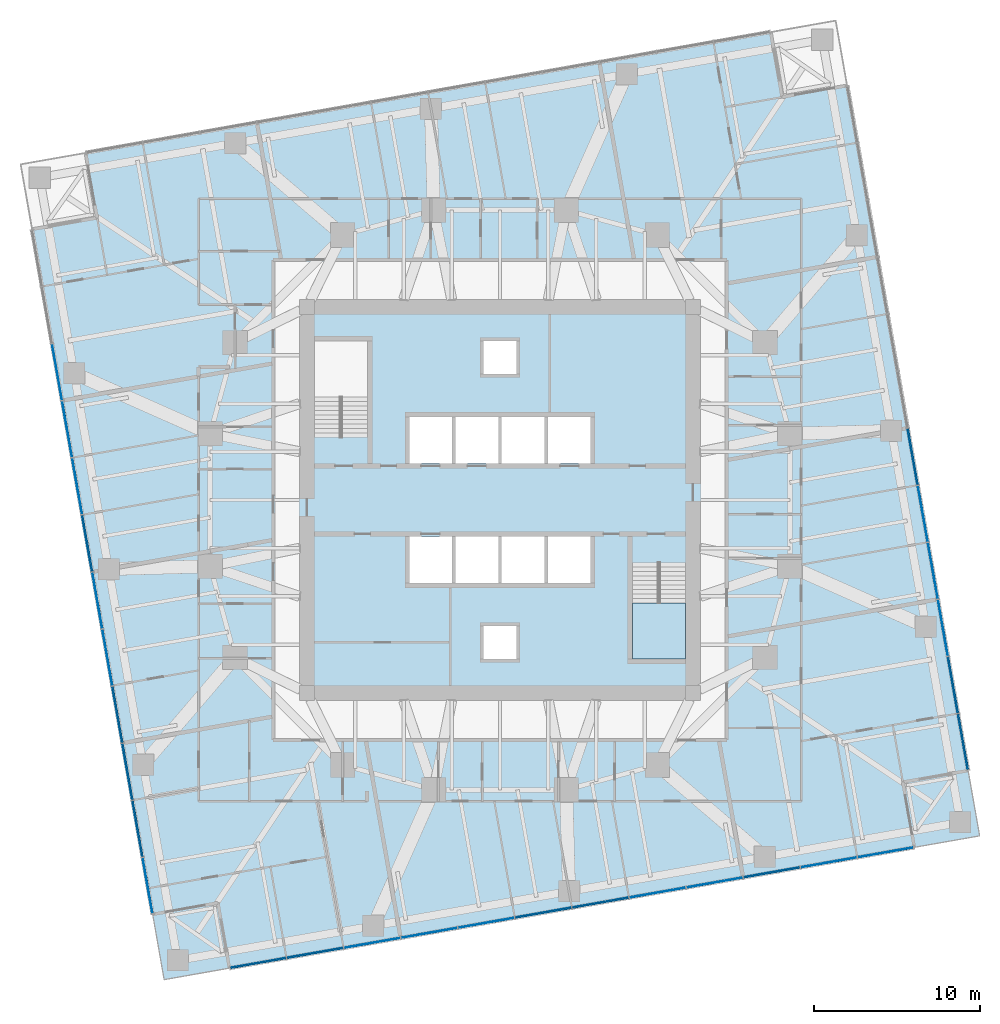
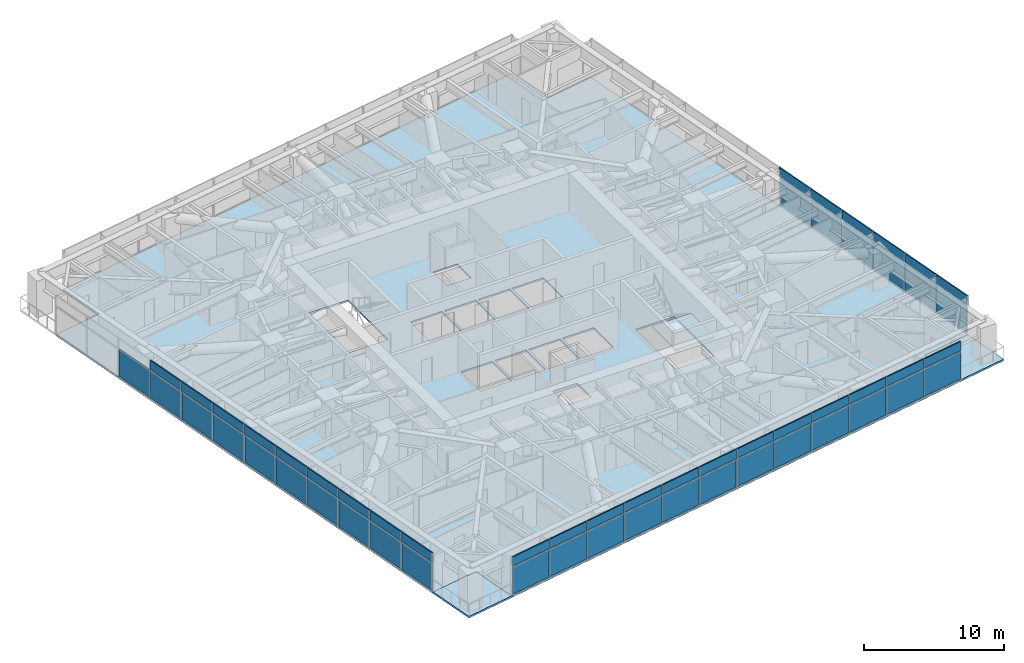
# One storey, part 9 of 17: 55 plates, 4 slabs, 4 elements without a shape of their own.
"""IFC4 building model written with IfcOpenShell, lengths in metres."""

from ifc_helpers import new_model, si_unit, direction, frame, origin, origin_2d, place, context, subcontext, project, spatial, polyline, rectangle, outline, extrude, material, layer, layer_set, type_object, element, aggregate, save


model = new_model("IFC4")

# Units and contexts
model_context = context("Model", 3, precision=1e-05, world=origin(), true_north=direction((0.0, 1.0)))
body_context = subcontext(model_context, "Body", "Model", "MODEL_VIEW")
ifc_project = project(units=[si_unit("LENGTHUNIT", "METRE"), si_unit("AREAUNIT", "SQUARE_METRE"), si_unit("VOLUMEUNIT", "CUBIC_METRE"), si_unit("PLANEANGLEUNIT", "RADIAN"), si_unit("MASSUNIT", "GRAM", prefix="KILO")], contexts=[model_context])

# Site, building, storey
site_placement = place(None, origin())
site = spatial("IfcSite", under=ifc_project, at=site_placement, CompositionType="ELEMENT")
building_placement = place(site_placement, origin())
building = spatial("IfcBuilding", under=site, at=building_placement, Name="Torsade Residences", CompositionType="ELEMENT")
storey_placement = place(building_placement, frame((0.0, 0.0, 103.199951171875)))
storey = spatial("IfcBuildingStorey", under=building, at=storey_placement, Name="L28", CompositionType="ELEMENT", Elevation=103.199951171875)

# Slab
ifc_material_1 = material(Name="Concrete 40 MPa", Category="concrete")
ifc_layer_1 = layer(ifc_material_1, 0.14990234375)
ifc_layer_set_1 = layer_set([ifc_layer_1], Name="Concrete 40 MPa")
slab_type_1 = type_object("IfcSlabType", Name="COMPOSITE FLOOR SLAB 150", PredefinedType="FLOOR", material=ifc_layer_set_1)
slab_1_placement = place(storey_placement, frame((0.0, 0.0, -0.14990234375)))
element("IfcSlab", 1, at=slab_1_placement, inside=storey, type_object=slab_type_1, Name="Floor slab L28", PredefinedType="FLOOR", context=body_context, shape_type="SweptSolid", body=[
    extrude(outline(polyline([(23.66015625, 1.733154296875), (65.022216796875, 9.0263671875), (64.32763671875, 12.965576171875), (68.266845703125, 13.66015625), (60.9736328125, 55.022216796875), (57.034423828125, 54.32763671875), (56.33984375, 58.266845703125), (14.977783203125, 50.9736328125), (15.67236328125, 47.034423828125), (11.733154296875, 46.33984375), (19.0263671875, 4.977783203125), (22.965576171875, 5.67236328125), (23.66015625, 1.733154296875)]), holes=[polyline([(51.199951171875, 20.39990234375), (51.199951171875, 26.1201171875), (48.0, 26.1201171875), (48.0, 20.39990234375), (51.199951171875, 20.39990234375)]), polyline([(45.5, 27.800048828125), (42.89990234375, 27.800048828125), (42.89990234375, 25.0), (45.5, 25.0), (45.5, 27.800048828125)]), polyline([(45.5, 32.199951171875), (45.5, 35.0), (42.89990234375, 35.0), (42.89990234375, 32.199951171875), (45.5, 32.199951171875)]), polyline([(42.699951171875, 25.0), (42.699951171875, 27.800048828125), (40.10009765625, 27.800048828125), (40.10009765625, 25.0), (42.699951171875, 25.0)]), polyline([(42.699951171875, 32.199951171875), (42.699951171875, 35.0), (40.10009765625, 35.0), (40.10009765625, 32.199951171875), (42.699951171875, 32.199951171875)]), polyline([(41.0, 22.39990234375), (39.0, 22.39990234375), (39.0, 20.39990234375), (41.0, 20.39990234375), (41.0, 22.39990234375)]), polyline([(41.0, 37.60009765625), (41.0, 39.60009765625), (39.0, 39.60009765625), (39.0, 37.60009765625), (41.0, 37.60009765625)]), polyline([(39.89990234375, 25.0), (39.89990234375, 27.800048828125), (37.300048828125, 27.800048828125), (37.300048828125, 25.0), (39.89990234375, 25.0)]), polyline([(39.89990234375, 35.0), (37.300048828125, 35.0), (37.300048828125, 32.199951171875), (39.89990234375, 32.199951171875), (39.89990234375, 35.0)]), polyline([(37.10009765625, 27.800048828125), (34.5, 27.800048828125), (34.5, 25.0), (37.10009765625, 25.0), (37.10009765625, 27.800048828125)]), polyline([(37.10009765625, 32.199951171875), (37.10009765625, 35.0), (34.5, 35.0), (34.5, 32.199951171875), (37.10009765625, 32.199951171875)]), polyline([(32.0, 33.8798828125), (32.0, 39.60009765625), (28.800048828125, 39.60009765625), (28.800048828125, 33.8798828125), (32.0, 33.8798828125)])]), origin(), (0.0, 0.0, 1.0), 0.14990234375),
])

# Curtain wall, plates
ifc_material_2 = material(Name="Aluminium and glass", Category="aluminium")
curtain_wall_type = type_object("IfcCurtainWallType", Name="FRITTED GLASS CURTAIN WALL LOW ZONE", PredefinedType="NOTDEFINED", material=ifc_material_2)
curtain_wall_1_placement = place(storey_placement, origin())
curtain_wall_1 = element("IfcCurtainWall", 2, at=curtain_wall_1_placement, inside=storey, type_object=curtain_wall_type, Name="Curtain wall L28 face 1", PredefinedType="NOTDEFINED")
ifc_material_3 = material(Name="Laminated glass", Category="glass")
ifc_layer_2 = layer(ifc_material_3, 0.031982421875)
ifc_layer_set_2 = layer_set([ifc_layer_2], Name="Laminated glass")
plate_type_1 = type_object("IfcPlateType", Name="FRITTED GLASS PANEL", PredefinedType="CURTAIN_PANEL", material=ifc_layer_set_2)
plate_1_placement = place(storey_placement, frame((25.399658203125, 2.039794921875, 0.10009765625), z_axis=(0.0, 0.0, 1.0), x_axis=(0.984807750372, 0.173648192638, 0.0)))
plate_1 = element("IfcPlate", 3, at=plate_1_placement, type_object=plate_type_1, Name="Panel 1", PredefinedType="CURTAIN_PANEL", context=body_context, shape_type="SweptSolid", body=[
    extrude(rectangle(XDim=3.402587890625, YDim=0.031982421875, at=origin_2d()), origin(), (0.0, 0.0, 1.0), 2.39990234375),
])
plate_2_placement = place(storey_placement, frame((32.27734375, 3.252685546875, 0.10009765625), z_axis=(0.0, 0.0, 1.0), x_axis=(0.984807750372, 0.173648192638, 0.0)))
plate_2 = element("IfcPlate", 4, at=plate_2_placement, type_object=plate_type_1, Name="Panel 3", PredefinedType="CURTAIN_PANEL", context=body_context, shape_type="SweptSolid", body=[
    extrude(rectangle(XDim=3.43505859375, YDim=0.031982421875, at=origin_2d()), origin(), (0.0, 0.0, 1.0), 2.39990234375),
])
plate_3_placement = place(storey_placement, frame((35.72412109375, 3.8603515625, 0.10009765625), z_axis=(0.0, 0.0, 1.0), x_axis=(0.984807750372, 0.173648192638, 0.0)))
plate_3 = element("IfcPlate", 5, at=plate_3_placement, type_object=plate_type_1, Name="Panel 4", PredefinedType="CURTAIN_PANEL", context=body_context, shape_type="SweptSolid", body=[
    extrude(rectangle(XDim=3.43505859375, YDim=0.031982421875, at=origin_2d()), origin(), (0.0, 0.0, 1.0), 2.39990234375),
])
plate_4_placement = place(storey_placement, frame((39.1708984375, 4.46826171875, 0.10009765625), z_axis=(0.0, 0.0, 1.0), x_axis=(0.984807750372, 0.173648192638, 0.0)))
plate_4 = element("IfcPlate", 6, at=plate_4_placement, type_object=plate_type_1, Name="Panel 5", PredefinedType="CURTAIN_PANEL", context=body_context, shape_type="SweptSolid", body=[
    extrude(rectangle(XDim=3.43505859375, YDim=0.031982421875, at=origin_2d()), origin(), (0.0, 0.0, 1.0), 2.39990234375),
])
plate_5_placement = place(storey_placement, frame((46.064697265625, 5.68359375, 0.10009765625), z_axis=(0.0, 0.0, 1.0), x_axis=(0.984807750372, 0.173648192638, 0.0)))
plate_5 = element("IfcPlate", 7, at=plate_5_placement, type_object=plate_type_1, Name="Panel 7", PredefinedType="CURTAIN_PANEL", context=body_context, shape_type="SweptSolid", body=[
    extrude(rectangle(XDim=3.43505859375, YDim=0.031982421875, at=origin_2d()), origin(), (0.0, 0.0, 1.0), 2.39990234375),
])
plate_6_placement = place(storey_placement, frame((49.511474609375, 6.29150390625, 0.10009765625), z_axis=(0.0, 0.0, 1.0), x_axis=(0.984807750372, 0.173648192638, 0.0)))
plate_6 = element("IfcPlate", 8, at=plate_6_placement, type_object=plate_type_1, Name="Panel 8", PredefinedType="CURTAIN_PANEL", context=body_context, shape_type="SweptSolid", body=[
    extrude(rectangle(XDim=3.43505859375, YDim=0.031982421875, at=origin_2d()), origin(), (0.0, 0.0, 1.0), 2.39990234375),
])
plate_7_placement = place(storey_placement, frame((52.958251953125, 6.899169921875, 0.10009765625), z_axis=(0.0, 0.0, 1.0), x_axis=(0.984807750372, 0.173648192638, 0.0)))
plate_7 = element("IfcPlate", 9, at=plate_7_placement, type_object=plate_type_1, Name="Panel 9", PredefinedType="CURTAIN_PANEL", context=body_context, shape_type="SweptSolid", body=[
    extrude(rectangle(XDim=3.43505859375, YDim=0.031982421875, at=origin_2d()), origin(), (0.0, 0.0, 1.0), 2.39990234375),
])
plate_8_placement = place(storey_placement, frame((59.851806640625, 8.11474609375, 0.10009765625), z_axis=(0.0, 0.0, 1.0), x_axis=(0.984807750372, 0.173648192638, 0.0)))
plate_8 = element("IfcPlate", 10, at=plate_8_placement, type_object=plate_type_1, Name="Panel 11", PredefinedType="CURTAIN_PANEL", context=body_context, shape_type="SweptSolid", body=[
    extrude(rectangle(XDim=3.43505859375, YDim=0.031982421875, at=origin_2d()), origin(), (0.0, 0.0, 1.0), 2.39990234375),
])
plate_9_placement = place(storey_placement, frame((63.28271484375, 8.7197265625, 0.10009765625), z_axis=(0.0, 0.0, 1.0), x_axis=(0.984807750372, 0.173648192638, 0.0)))
plate_9 = element("IfcPlate", 11, at=plate_9_placement, type_object=plate_type_1, Name="Panel 12", PredefinedType="CURTAIN_PANEL", context=body_context, shape_type="SweptSolid", body=[
    extrude(rectangle(XDim=3.402587890625, YDim=0.031982421875, at=origin_2d()), origin(), (0.0, 0.0, 1.0), 2.39990234375),
])

curtain_wall_2_placement = place(storey_placement, origin())
curtain_wall_2 = element("IfcCurtainWall", 12, at=curtain_wall_2_placement, inside=storey, type_object=curtain_wall_type, Name="Curtain wall L28 face 4", PredefinedType="NOTDEFINED")
plate_10_placement = place(storey_placement, frame((67.960205078125, 15.399658203125, 0.10009765625), z_axis=(0.0, 0.0, 1.0), x_axis=(-0.173648192638, 0.984807750372, 0.0)))
plate_10 = element("IfcPlate", 13, at=plate_10_placement, type_object=plate_type_1, Name="Panel 1", PredefinedType="CURTAIN_PANEL", context=body_context, shape_type="SweptSolid", body=[
    extrude(rectangle(XDim=3.402587890625, YDim=0.031982421875, at=origin_2d()), origin(), (0.0, 0.0, 1.0), 2.39990234375),
])
plate_11_placement = place(storey_placement, frame((66.747314453125, 22.27734375, 0.10009765625), z_axis=(0.0, 0.0, 1.0), x_axis=(-0.173648192638, 0.984807750372, 0.0)))
plate_11 = element("IfcPlate", 14, at=plate_11_placement, type_object=plate_type_1, Name="Panel 3", PredefinedType="CURTAIN_PANEL", context=body_context, shape_type="SweptSolid", body=[
    extrude(rectangle(XDim=3.43505859375, YDim=0.031982421875, at=origin_2d()), origin(), (0.0, 0.0, 1.0), 2.39990234375),
])
plate_12_placement = place(storey_placement, frame((66.1396484375, 25.72412109375, 0.10009765625), z_axis=(0.0, 0.0, 1.0), x_axis=(-0.173648192638, 0.984807750372, 0.0)))
plate_12 = element("IfcPlate", 15, at=plate_12_placement, type_object=plate_type_1, Name="Panel 4", PredefinedType="CURTAIN_PANEL", context=body_context, shape_type="SweptSolid", body=[
    extrude(rectangle(XDim=3.43505859375, YDim=0.031982421875, at=origin_2d()), origin(), (0.0, 0.0, 1.0), 2.39990234375),
])
plate_13_placement = place(storey_placement, frame((65.53173828125, 29.1708984375, 0.10009765625), z_axis=(0.0, 0.0, 1.0), x_axis=(-0.173648192638, 0.984807750372, 0.0)))
plate_13 = element("IfcPlate", 16, at=plate_13_placement, type_object=plate_type_1, Name="Panel 5", PredefinedType="CURTAIN_PANEL", context=body_context, shape_type="SweptSolid", body=[
    extrude(rectangle(XDim=3.43505859375, YDim=0.031982421875, at=origin_2d()), origin(), (0.0, 0.0, 1.0), 2.39990234375),
])

curtain_wall_3_placement = place(storey_placement, origin())
curtain_wall_3 = element("IfcCurtainWall", 17, at=curtain_wall_3_placement, inside=storey, type_object=curtain_wall_type, Name="Curtain wall L28 face 10", PredefinedType="NOTDEFINED")
plate_14_placement = place(storey_placement, frame((13.252685546875, 37.72265625, 0.10009765625), z_axis=(0.0, 0.0, 1.0), x_axis=(0.173648192638, -0.984807750372, 0.0)))
plate_14 = element("IfcPlate", 18, at=plate_14_placement, type_object=plate_type_1, Name="Panel 3", PredefinedType="CURTAIN_PANEL", context=body_context, shape_type="SweptSolid", body=[
    extrude(rectangle(XDim=3.43505859375, YDim=0.031982421875, at=origin_2d()), origin(), (0.0, 0.0, 1.0), 2.39990234375),
])
plate_15_placement = place(storey_placement, frame((13.8603515625, 34.27587890625, 0.10009765625), z_axis=(0.0, 0.0, 1.0), x_axis=(0.173648192638, -0.984807750372, 0.0)))
plate_15 = element("IfcPlate", 19, at=plate_15_placement, type_object=plate_type_1, Name="Panel 4", PredefinedType="CURTAIN_PANEL", context=body_context, shape_type="SweptSolid", body=[
    extrude(rectangle(XDim=3.43505859375, YDim=0.031982421875, at=origin_2d()), origin(), (0.0, 0.0, 1.0), 2.39990234375),
])
plate_16_placement = place(storey_placement, frame((14.46826171875, 30.8291015625, 0.10009765625), z_axis=(0.0, 0.0, 1.0), x_axis=(0.173648192638, -0.984807750372, 0.0)))
plate_16 = element("IfcPlate", 20, at=plate_16_placement, type_object=plate_type_1, Name="Panel 5", PredefinedType="CURTAIN_PANEL", context=body_context, shape_type="SweptSolid", body=[
    extrude(rectangle(XDim=3.43505859375, YDim=0.031982421875, at=origin_2d()), origin(), (0.0, 0.0, 1.0), 2.39990234375),
])
plate_17_placement = place(storey_placement, frame((15.68359375, 23.935302734375, 0.10009765625), z_axis=(0.0, 0.0, 1.0), x_axis=(0.173648192638, -0.984807750372, 0.0)))
plate_17 = element("IfcPlate", 21, at=plate_17_placement, type_object=plate_type_1, Name="Panel 7", PredefinedType="CURTAIN_PANEL", context=body_context, shape_type="SweptSolid", body=[
    extrude(rectangle(XDim=3.43505859375, YDim=0.031982421875, at=origin_2d()), origin(), (0.0, 0.0, 1.0), 2.39990234375),
])
plate_18_placement = place(storey_placement, frame((16.29150390625, 20.488525390625, 0.10009765625), z_axis=(0.0, 0.0, 1.0), x_axis=(0.173648192638, -0.984807750372, 0.0)))
plate_18 = element("IfcPlate", 22, at=plate_18_placement, type_object=plate_type_1, Name="Panel 8", PredefinedType="CURTAIN_PANEL", context=body_context, shape_type="SweptSolid", body=[
    extrude(rectangle(XDim=3.43505859375, YDim=0.031982421875, at=origin_2d()), origin(), (0.0, 0.0, 1.0), 2.39990234375),
])
plate_19_placement = place(storey_placement, frame((16.899169921875, 17.041748046875, 0.10009765625), z_axis=(0.0, 0.0, 1.0), x_axis=(0.173648192638, -0.984807750372, 0.0)))
plate_19 = element("IfcPlate", 23, at=plate_19_placement, type_object=plate_type_1, Name="Panel 9", PredefinedType="CURTAIN_PANEL", context=body_context, shape_type="SweptSolid", body=[
    extrude(rectangle(XDim=3.43505859375, YDim=0.031982421875, at=origin_2d()), origin(), (0.0, 0.0, 1.0), 2.39990234375),
])
plate_20_placement = place(storey_placement, frame((18.11474609375, 10.148193359375, 0.10009765625), z_axis=(0.0, 0.0, 1.0), x_axis=(0.173648192638, -0.984807750372, 0.0)))
plate_20 = element("IfcPlate", 24, at=plate_20_placement, type_object=plate_type_1, Name="Panel 11", PredefinedType="CURTAIN_PANEL", context=body_context, shape_type="SweptSolid", body=[
    extrude(rectangle(XDim=3.43505859375, YDim=0.031982421875, at=origin_2d()), origin(), (0.0, 0.0, 1.0), 2.39990234375),
])
plate_21_placement = place(storey_placement, frame((18.7197265625, 6.71728515625, 0.10009765625), z_axis=(0.0, 0.0, 1.0), x_axis=(0.173648192638, -0.984807750372, 0.0)))
plate_21 = element("IfcPlate", 25, at=plate_21_placement, type_object=plate_type_1, Name="Panel 12", PredefinedType="CURTAIN_PANEL", context=body_context, shape_type="SweptSolid", body=[
    extrude(rectangle(XDim=3.402587890625, YDim=0.031982421875, at=origin_2d()), origin(), (0.0, 0.0, 1.0), 2.39990234375),
])

# Plate
ifc_material_4 = material(Name="Aluminium composite spandrel panel", Category="aluminium")
ifc_layer_3 = layer(ifc_material_4, 0.10009765625)
ifc_layer_set_3 = layer_set([ifc_layer_3], Name="Aluminium composite spandrel panel")
plate_type_2 = type_object("IfcPlateType", Name="OPAQUE SPANDREL PANEL", PredefinedType="CURTAIN_PANEL", material=ifc_layer_set_3)
plate_22_placement = place(storey_placement, frame((25.399658203125, 2.039794921875, 2.60009765625), z_axis=(0.0, 0.0, 1.0), x_axis=(0.984807750372, 0.173648192638, 0.0)))
plate_22 = element("IfcPlate", 26, at=plate_22_placement, type_object=plate_type_2, Name="Spandrel panel 1", PredefinedType="CURTAIN_PANEL", context=body_context, shape_type="SweptSolid", body=[
    extrude(rectangle(XDim=3.402587890625, YDim=0.10009765625, at=origin_2d()), origin(), (0.0, 0.0, 1.0), 0.800048828125),
])

plate_23_placement = place(storey_placement, frame((28.83056640625, 2.644775390625, 2.60009765625), z_axis=(0.0, 0.0, 1.0), x_axis=(0.984807750372, 0.173648192638, 0.0)))
plate_23 = element("IfcPlate", 27, at=plate_23_placement, type_object=plate_type_2, Name="Spandrel panel 2", PredefinedType="CURTAIN_PANEL", context=body_context, shape_type="SweptSolid", body=[
    extrude(rectangle(XDim=3.43505859375, YDim=0.10009765625, at=origin_2d()), origin(), (0.0, 0.0, 1.0), 0.800048828125),
])

plate_24_placement = place(storey_placement, frame((32.27734375, 3.252685546875, 2.60009765625), z_axis=(0.0, 0.0, 1.0), x_axis=(0.984807750372, 0.173648192638, 0.0)))
plate_24 = element("IfcPlate", 28, at=plate_24_placement, type_object=plate_type_2, Name="Spandrel panel 3", PredefinedType="CURTAIN_PANEL", context=body_context, shape_type="SweptSolid", body=[
    extrude(rectangle(XDim=3.43505859375, YDim=0.10009765625, at=origin_2d()), origin(), (0.0, 0.0, 1.0), 0.800048828125),
])

plate_25_placement = place(storey_placement, frame((35.72412109375, 3.8603515625, 2.60009765625), z_axis=(0.0, 0.0, 1.0), x_axis=(0.984807750372, 0.173648192638, 0.0)))
plate_25 = element("IfcPlate", 29, at=plate_25_placement, type_object=plate_type_2, Name="Spandrel panel 4", PredefinedType="CURTAIN_PANEL", context=body_context, shape_type="SweptSolid", body=[
    extrude(rectangle(XDim=3.43505859375, YDim=0.10009765625, at=origin_2d()), origin(), (0.0, 0.0, 1.0), 0.800048828125),
])

plate_26_placement = place(storey_placement, frame((39.1708984375, 4.46826171875, 2.60009765625), z_axis=(0.0, 0.0, 1.0), x_axis=(0.984807750372, 0.173648192638, 0.0)))
plate_26 = element("IfcPlate", 30, at=plate_26_placement, type_object=plate_type_2, Name="Spandrel panel 5", PredefinedType="CURTAIN_PANEL", context=body_context, shape_type="SweptSolid", body=[
    extrude(rectangle(XDim=3.43505859375, YDim=0.10009765625, at=origin_2d()), origin(), (0.0, 0.0, 1.0), 0.800048828125),
])

plate_27_placement = place(storey_placement, frame((42.61767578125, 5.075927734375, 2.60009765625), z_axis=(0.0, 0.0, 1.0), x_axis=(0.984807750372, 0.173648192638, 0.0)))
plate_27 = element("IfcPlate", 31, at=plate_27_placement, type_object=plate_type_2, Name="Spandrel panel 6", PredefinedType="CURTAIN_PANEL", context=body_context, shape_type="SweptSolid", body=[
    extrude(rectangle(XDim=3.43505859375, YDim=0.10009765625, at=origin_2d()), origin(), (0.0, 0.0, 1.0), 0.800048828125),
])

plate_28_placement = place(storey_placement, frame((46.064697265625, 5.68359375, 2.60009765625), z_axis=(0.0, 0.0, 1.0), x_axis=(0.984807750372, 0.173648192638, 0.0)))
plate_28 = element("IfcPlate", 32, at=plate_28_placement, type_object=plate_type_2, Name="Spandrel panel 7", PredefinedType="CURTAIN_PANEL", context=body_context, shape_type="SweptSolid", body=[
    extrude(rectangle(XDim=3.43505859375, YDim=0.10009765625, at=origin_2d()), origin(), (0.0, 0.0, 1.0), 0.800048828125),
])

plate_29_placement = place(storey_placement, frame((49.511474609375, 6.29150390625, 2.60009765625), z_axis=(0.0, 0.0, 1.0), x_axis=(0.984807750372, 0.173648192638, 0.0)))
plate_29 = element("IfcPlate", 33, at=plate_29_placement, type_object=plate_type_2, Name="Spandrel panel 8", PredefinedType="CURTAIN_PANEL", context=body_context, shape_type="SweptSolid", body=[
    extrude(rectangle(XDim=3.43505859375, YDim=0.10009765625, at=origin_2d()), origin(), (0.0, 0.0, 1.0), 0.800048828125),
])

plate_30_placement = place(storey_placement, frame((52.958251953125, 6.899169921875, 2.60009765625), z_axis=(0.0, 0.0, 1.0), x_axis=(0.984807750372, 0.173648192638, 0.0)))
plate_30 = element("IfcPlate", 34, at=plate_30_placement, type_object=plate_type_2, Name="Spandrel panel 9", PredefinedType="CURTAIN_PANEL", context=body_context, shape_type="SweptSolid", body=[
    extrude(rectangle(XDim=3.43505859375, YDim=0.10009765625, at=origin_2d()), origin(), (0.0, 0.0, 1.0), 0.800048828125),
])

plate_31_placement = place(storey_placement, frame((56.405029296875, 7.507080078125, 2.60009765625), z_axis=(0.0, 0.0, 1.0), x_axis=(0.984807750372, 0.173648192638, 0.0)))
plate_31 = element("IfcPlate", 35, at=plate_31_placement, type_object=plate_type_2, Name="Spandrel panel 10", PredefinedType="CURTAIN_PANEL", context=body_context, shape_type="SweptSolid", body=[
    extrude(rectangle(XDim=3.43505859375, YDim=0.10009765625, at=origin_2d()), origin(), (0.0, 0.0, 1.0), 0.800048828125),
])

plate_32_placement = place(storey_placement, frame((59.851806640625, 8.11474609375, 2.60009765625), z_axis=(0.0, 0.0, 1.0), x_axis=(0.984807750372, 0.173648192638, 0.0)))
plate_32 = element("IfcPlate", 36, at=plate_32_placement, type_object=plate_type_2, Name="Spandrel panel 11", PredefinedType="CURTAIN_PANEL", context=body_context, shape_type="SweptSolid", body=[
    extrude(rectangle(XDim=3.43505859375, YDim=0.10009765625, at=origin_2d()), origin(), (0.0, 0.0, 1.0), 0.800048828125),
])

plate_33_placement = place(storey_placement, frame((63.28271484375, 8.7197265625, 2.60009765625), z_axis=(0.0, 0.0, 1.0), x_axis=(0.984807750372, 0.173648192638, 0.0)))
plate_33 = element("IfcPlate", 37, at=plate_33_placement, type_object=plate_type_2, Name="Spandrel panel 12", PredefinedType="CURTAIN_PANEL", context=body_context, shape_type="SweptSolid", body=[
    extrude(rectangle(XDim=3.402587890625, YDim=0.10009765625, at=origin_2d()), origin(), (0.0, 0.0, 1.0), 0.800048828125),
])

plate_34_placement = place(storey_placement, frame((67.960205078125, 15.399658203125, 2.60009765625), z_axis=(0.0, 0.0, 1.0), x_axis=(-0.173648192638, 0.984807750372, 0.0)))
plate_34 = element("IfcPlate", 38, at=plate_34_placement, type_object=plate_type_2, Name="Spandrel panel 1", PredefinedType="CURTAIN_PANEL", context=body_context, shape_type="SweptSolid", body=[
    extrude(rectangle(XDim=3.402587890625, YDim=0.10009765625, at=origin_2d()), origin(), (0.0, 0.0, 1.0), 0.800048828125),
])

plate_35_placement = place(storey_placement, frame((67.355224609375, 18.83056640625, 2.60009765625), z_axis=(0.0, 0.0, 1.0), x_axis=(-0.173648192638, 0.984807750372, 0.0)))
plate_35 = element("IfcPlate", 39, at=plate_35_placement, type_object=plate_type_2, Name="Spandrel panel 2", PredefinedType="CURTAIN_PANEL", context=body_context, shape_type="SweptSolid", body=[
    extrude(rectangle(XDim=3.43505859375, YDim=0.10009765625, at=origin_2d()), origin(), (0.0, 0.0, 1.0), 0.800048828125),
])

plate_36_placement = place(storey_placement, frame((66.747314453125, 22.27734375, 2.60009765625), z_axis=(0.0, 0.0, 1.0), x_axis=(-0.173648192638, 0.984807750372, 0.0)))
plate_36 = element("IfcPlate", 40, at=plate_36_placement, type_object=plate_type_2, Name="Spandrel panel 3", PredefinedType="CURTAIN_PANEL", context=body_context, shape_type="SweptSolid", body=[
    extrude(rectangle(XDim=3.43505859375, YDim=0.10009765625, at=origin_2d()), origin(), (0.0, 0.0, 1.0), 0.800048828125),
])

plate_37_placement = place(storey_placement, frame((66.1396484375, 25.72412109375, 2.60009765625), z_axis=(0.0, 0.0, 1.0), x_axis=(-0.173648192638, 0.984807750372, 0.0)))
plate_37 = element("IfcPlate", 41, at=plate_37_placement, type_object=plate_type_2, Name="Spandrel panel 4", PredefinedType="CURTAIN_PANEL", context=body_context, shape_type="SweptSolid", body=[
    extrude(rectangle(XDim=3.43505859375, YDim=0.10009765625, at=origin_2d()), origin(), (0.0, 0.0, 1.0), 0.800048828125),
])

plate_38_placement = place(storey_placement, frame((65.53173828125, 29.1708984375, 2.60009765625), z_axis=(0.0, 0.0, 1.0), x_axis=(-0.173648192638, 0.984807750372, 0.0)))
plate_38 = element("IfcPlate", 42, at=plate_38_placement, type_object=plate_type_2, Name="Spandrel panel 5", PredefinedType="CURTAIN_PANEL", context=body_context, shape_type="SweptSolid", body=[
    extrude(rectangle(XDim=3.43505859375, YDim=0.10009765625, at=origin_2d()), origin(), (0.0, 0.0, 1.0), 0.800048828125),
])

plate_39_placement = place(storey_placement, frame((64.924072265625, 32.61767578125, 2.60009765625), z_axis=(0.0, 0.0, 1.0), x_axis=(-0.173648192638, 0.984807750372, 0.0)))
plate_39 = element("IfcPlate", 43, at=plate_39_placement, type_object=plate_type_2, Name="Spandrel panel 6", PredefinedType="CURTAIN_PANEL", context=body_context, shape_type="SweptSolid", body=[
    extrude(rectangle(XDim=3.43505859375, YDim=0.10009765625, at=origin_2d()), origin(), (0.0, 0.0, 1.0), 0.800048828125),
])

plate_40_placement = place(storey_placement, frame((13.8603515625, 34.27587890625, 2.60009765625), z_axis=(0.0, 0.0, 1.0), x_axis=(0.173648192638, -0.984807750372, 0.0)))
plate_40 = element("IfcPlate", 44, at=plate_40_placement, type_object=plate_type_2, Name="Spandrel panel 4", PredefinedType="CURTAIN_PANEL", context=body_context, shape_type="SweptSolid", body=[
    extrude(rectangle(XDim=3.43505859375, YDim=0.10009765625, at=origin_2d()), origin(), (0.0, 0.0, 1.0), 0.800048828125),
])

plate_41_placement = place(storey_placement, frame((14.46826171875, 30.8291015625, 2.60009765625), z_axis=(0.0, 0.0, 1.0), x_axis=(0.173648192638, -0.984807750372, 0.0)))
plate_41 = element("IfcPlate", 45, at=plate_41_placement, type_object=plate_type_2, Name="Spandrel panel 5", PredefinedType="CURTAIN_PANEL", context=body_context, shape_type="SweptSolid", body=[
    extrude(rectangle(XDim=3.43505859375, YDim=0.10009765625, at=origin_2d()), origin(), (0.0, 0.0, 1.0), 0.800048828125),
])

plate_42_placement = place(storey_placement, frame((15.075927734375, 27.38232421875, 2.60009765625), z_axis=(0.0, 0.0, 1.0), x_axis=(0.173648192638, -0.984807750372, 0.0)))
plate_42 = element("IfcPlate", 46, at=plate_42_placement, type_object=plate_type_2, Name="Spandrel panel 6", PredefinedType="CURTAIN_PANEL", context=body_context, shape_type="SweptSolid", body=[
    extrude(rectangle(XDim=3.43505859375, YDim=0.10009765625, at=origin_2d()), origin(), (0.0, 0.0, 1.0), 0.800048828125),
])

plate_43_placement = place(storey_placement, frame((15.68359375, 23.935302734375, 2.60009765625), z_axis=(0.0, 0.0, 1.0), x_axis=(0.173648192638, -0.984807750372, 0.0)))
plate_43 = element("IfcPlate", 47, at=plate_43_placement, type_object=plate_type_2, Name="Spandrel panel 7", PredefinedType="CURTAIN_PANEL", context=body_context, shape_type="SweptSolid", body=[
    extrude(rectangle(XDim=3.43505859375, YDim=0.10009765625, at=origin_2d()), origin(), (0.0, 0.0, 1.0), 0.800048828125),
])

plate_44_placement = place(storey_placement, frame((16.29150390625, 20.488525390625, 2.60009765625), z_axis=(0.0, 0.0, 1.0), x_axis=(0.173648192638, -0.984807750372, 0.0)))
plate_44 = element("IfcPlate", 48, at=plate_44_placement, type_object=plate_type_2, Name="Spandrel panel 8", PredefinedType="CURTAIN_PANEL", context=body_context, shape_type="SweptSolid", body=[
    extrude(rectangle(XDim=3.43505859375, YDim=0.10009765625, at=origin_2d()), origin(), (0.0, 0.0, 1.0), 0.800048828125),
])

plate_45_placement = place(storey_placement, frame((16.899169921875, 17.041748046875, 2.60009765625), z_axis=(0.0, 0.0, 1.0), x_axis=(0.173648192638, -0.984807750372, 0.0)))
plate_45 = element("IfcPlate", 49, at=plate_45_placement, type_object=plate_type_2, Name="Spandrel panel 9", PredefinedType="CURTAIN_PANEL", context=body_context, shape_type="SweptSolid", body=[
    extrude(rectangle(XDim=3.43505859375, YDim=0.10009765625, at=origin_2d()), origin(), (0.0, 0.0, 1.0), 0.800048828125),
])

plate_46_placement = place(storey_placement, frame((17.507080078125, 13.594970703125, 2.60009765625), z_axis=(0.0, 0.0, 1.0), x_axis=(0.173648192638, -0.984807750372, 0.0)))
plate_46 = element("IfcPlate", 50, at=plate_46_placement, type_object=plate_type_2, Name="Spandrel panel 10", PredefinedType="CURTAIN_PANEL", context=body_context, shape_type="SweptSolid", body=[
    extrude(rectangle(XDim=3.43505859375, YDim=0.10009765625, at=origin_2d()), origin(), (0.0, 0.0, 1.0), 0.800048828125),
])

plate_47_placement = place(storey_placement, frame((18.11474609375, 10.148193359375, 2.60009765625), z_axis=(0.0, 0.0, 1.0), x_axis=(0.173648192638, -0.984807750372, 0.0)))
plate_47 = element("IfcPlate", 51, at=plate_47_placement, type_object=plate_type_2, Name="Spandrel panel 11", PredefinedType="CURTAIN_PANEL", context=body_context, shape_type="SweptSolid", body=[
    extrude(rectangle(XDim=3.43505859375, YDim=0.10009765625, at=origin_2d()), origin(), (0.0, 0.0, 1.0), 0.800048828125),
])

plate_48_placement = place(storey_placement, frame((18.7197265625, 6.71728515625, 2.60009765625), z_axis=(0.0, 0.0, 1.0), x_axis=(0.173648192638, -0.984807750372, 0.0)))
plate_48 = element("IfcPlate", 52, at=plate_48_placement, type_object=plate_type_2, Name="Spandrel panel 12", PredefinedType="CURTAIN_PANEL", context=body_context, shape_type="SweptSolid", body=[
    extrude(rectangle(XDim=3.402587890625, YDim=0.10009765625, at=origin_2d()), origin(), (0.0, 0.0, 1.0), 0.800048828125),
])

ifc_material_5 = material(Name="Laminated glass", Category="glass")
ifc_layer_4 = layer(ifc_material_5, 0.0400390625)
ifc_layer_set_4 = layer_set([ifc_layer_4], Name="Laminated glass")
plate_type_3 = type_object("IfcPlateType", Name="OPERABLE VENT PANEL", PredefinedType="CURTAIN_PANEL", material=ifc_layer_set_4)
plate_49_placement = place(storey_placement, frame((28.83056640625, 2.644775390625, 0.10009765625), z_axis=(0.0, 0.0, 1.0), x_axis=(0.984807750372, 0.173648192638, 0.0)))
plate_49 = element("IfcPlate", 53, at=plate_49_placement, type_object=plate_type_3, Name="Panel 2", PredefinedType="CURTAIN_PANEL", context=body_context, shape_type="SweptSolid", body=[
    extrude(rectangle(XDim=3.43505859375, YDim=0.0400390625, at=origin_2d()), origin(), (0.0, 0.0, 1.0), 2.39990234375),
])

plate_50_placement = place(storey_placement, frame((42.61767578125, 5.075927734375, 0.10009765625), z_axis=(0.0, 0.0, 1.0), x_axis=(0.984807750372, 0.173648192638, 0.0)))
plate_50 = element("IfcPlate", 54, at=plate_50_placement, type_object=plate_type_3, Name="Panel 6", PredefinedType="CURTAIN_PANEL", context=body_context, shape_type="SweptSolid", body=[
    extrude(rectangle(XDim=3.43505859375, YDim=0.0400390625, at=origin_2d()), origin(), (0.0, 0.0, 1.0), 2.39990234375),
])

plate_51_placement = place(storey_placement, frame((56.405029296875, 7.507080078125, 0.10009765625), z_axis=(0.0, 0.0, 1.0), x_axis=(0.984807750372, 0.173648192638, 0.0)))
plate_51 = element("IfcPlate", 55, at=plate_51_placement, type_object=plate_type_3, Name="Panel 10", PredefinedType="CURTAIN_PANEL", context=body_context, shape_type="SweptSolid", body=[
    extrude(rectangle(XDim=3.43505859375, YDim=0.0400390625, at=origin_2d()), origin(), (0.0, 0.0, 1.0), 2.39990234375),
])

aggregate(curtain_wall_1, [plate_1, plate_22, plate_49, plate_23, plate_2, plate_24, plate_3, plate_25, plate_4, plate_26, plate_50, plate_27, plate_5, plate_28, plate_6, plate_29, plate_7, plate_30, plate_51, plate_31, plate_8, plate_32, plate_9, plate_33])

plate_52_placement = place(storey_placement, frame((67.355224609375, 18.83056640625, 0.10009765625), z_axis=(0.0, 0.0, 1.0), x_axis=(-0.173648192638, 0.984807750372, 0.0)))
plate_52 = element("IfcPlate", 56, at=plate_52_placement, type_object=plate_type_3, Name="Panel 2", PredefinedType="CURTAIN_PANEL", context=body_context, shape_type="SweptSolid", body=[
    extrude(rectangle(XDim=3.43505859375, YDim=0.0400390625, at=origin_2d()), origin(), (0.0, 0.0, 1.0), 2.39990234375),
])

plate_53_placement = place(storey_placement, frame((64.924072265625, 32.61767578125, 0.10009765625), z_axis=(0.0, 0.0, 1.0), x_axis=(-0.173648192638, 0.984807750372, 0.0)))
plate_53 = element("IfcPlate", 57, at=plate_53_placement, type_object=plate_type_3, Name="Panel 6", PredefinedType="CURTAIN_PANEL", context=body_context, shape_type="SweptSolid", body=[
    extrude(rectangle(XDim=3.43505859375, YDim=0.0400390625, at=origin_2d()), origin(), (0.0, 0.0, 1.0), 2.39990234375),
])

aggregate(curtain_wall_2, [plate_10, plate_34, plate_52, plate_35, plate_11, plate_36, plate_12, plate_37, plate_13, plate_38, plate_53, plate_39])

plate_54_placement = place(storey_placement, frame((15.075927734375, 27.38232421875, 0.10009765625), z_axis=(0.0, 0.0, 1.0), x_axis=(0.173648192638, -0.984807750372, 0.0)))
plate_54 = element("IfcPlate", 58, at=plate_54_placement, type_object=plate_type_3, Name="Panel 6", PredefinedType="CURTAIN_PANEL", context=body_context, shape_type="SweptSolid", body=[
    extrude(rectangle(XDim=3.43505859375, YDim=0.0400390625, at=origin_2d()), origin(), (0.0, 0.0, 1.0), 2.39990234375),
])

plate_55_placement = place(storey_placement, frame((17.507080078125, 13.594970703125, 0.10009765625), z_axis=(0.0, 0.0, 1.0), x_axis=(0.173648192638, -0.984807750372, 0.0)))
plate_55 = element("IfcPlate", 59, at=plate_55_placement, type_object=plate_type_3, Name="Panel 10", PredefinedType="CURTAIN_PANEL", context=body_context, shape_type="SweptSolid", body=[
    extrude(rectangle(XDim=3.43505859375, YDim=0.0400390625, at=origin_2d()), origin(), (0.0, 0.0, 1.0), 2.39990234375),
])

aggregate(curtain_wall_3, [plate_14, plate_15, plate_40, plate_16, plate_41, plate_54, plate_42, plate_17, plate_43, plate_18, plate_44, plate_19, plate_45, plate_55, plate_46, plate_20, plate_47, plate_21, plate_48])

# Stair, slab
ifc_material_6 = material(Name="Precast concrete 40 MPa", Category="concrete")
stair_type = type_object("IfcStairType", Name="HALF-TURN FIRE STAIR 1500x3400", PredefinedType="HALF_TURN_STAIR", material=ifc_material_6)
stair_placement = place(storey_placement, origin())
stair = element("IfcStair", 60, at=stair_placement, inside=storey, type_object=stair_type, Name="Stair ST2 L28", PredefinedType="HALF_TURN_STAIR")
ifc_material_7 = material(Name="Precast concrete 40 MPa", Category="concrete")
ifc_layer_5 = layer(ifc_material_7, 0.179931640625)
ifc_layer_set_5 = layer_set([ifc_layer_5], Name="Precast concrete 40 MPa")
slab_type_2 = type_object("IfcSlabType", Name="PRECAST STAIR LANDING 180", PredefinedType="LANDING", material=ifc_layer_set_5)
slab_2_placement = place(storey_placement, frame((0.0, 0.0, 1.52001953125)))
slab_2 = element("IfcSlab", 61, at=slab_2_placement, type_object=slab_type_2, Name="ST2 landing 1", PredefinedType="LANDING", context=body_context, shape_type="SweptSolid", body=[
    extrude(outline(polyline([(48.0, 20.39990234375), (51.199951171875, 20.39990234375), (51.199951171875, 23.7900390625), (48.0, 23.7900390625), (48.0, 20.39990234375)])), origin(), (0.0, 0.0, 1.0), 0.179931640625),
])
aggregate(stair, [slab_2])

# Slabs
ifc_material_8 = material(Name="Concrete 40 MPa", Category="concrete")
ifc_layer_6 = layer(ifc_material_8, 0.14990234375)
ifc_layer_set_6 = layer_set([ifc_layer_6], Name="Concrete 40 MPa")
slab_type_3 = type_object("IfcSlabType", Name="TERRACE SLAB 150", PredefinedType="FLOOR", material=ifc_layer_set_6)
slab_3_placement = place(storey_placement, frame((0.0, 0.0, -0.14990234375)))
element("IfcSlab", 62, at=slab_3_placement, inside=storey, type_object=slab_type_3, Name="Corner terrace slab SE L28", PredefinedType="FLOOR", context=body_context, shape_type="SweptSolid", body=[
    extrude(outline(polyline([(65.022216796875, 9.0263671875), (68.96142578125, 9.720947265625), (68.266845703125, 13.66015625), (64.32763671875, 12.965576171875), (65.022216796875, 9.0263671875)])), origin(), (0.0, 0.0, 1.0), 0.14990234375),
])
slab_4_placement = place(storey_placement, frame((0.0, 0.0, -0.14990234375)))
element("IfcSlab", 63, at=slab_4_placement, inside=storey, type_object=slab_type_3, Name="Corner terrace slab SW L28", PredefinedType="FLOOR", context=body_context, shape_type="SweptSolid", body=[
    extrude(outline(polyline([(19.720947265625, 1.03857421875), (23.66015625, 1.733154296875), (22.965576171875, 5.67236328125), (19.0263671875, 4.977783203125), (19.720947265625, 1.03857421875)])), origin(), (0.0, 0.0, 1.0), 0.14990234375),
])

save(model, "model.ifc")
